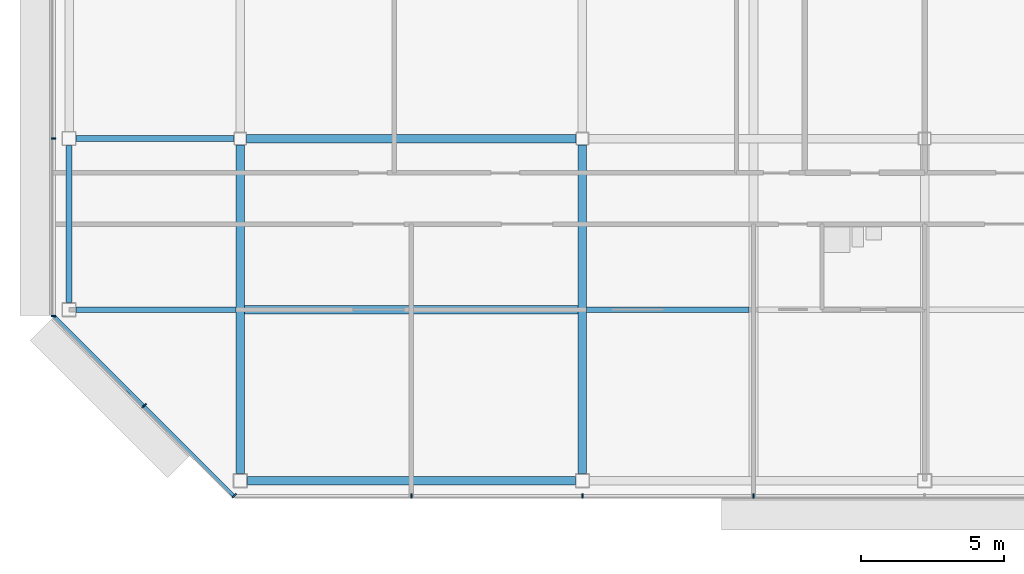
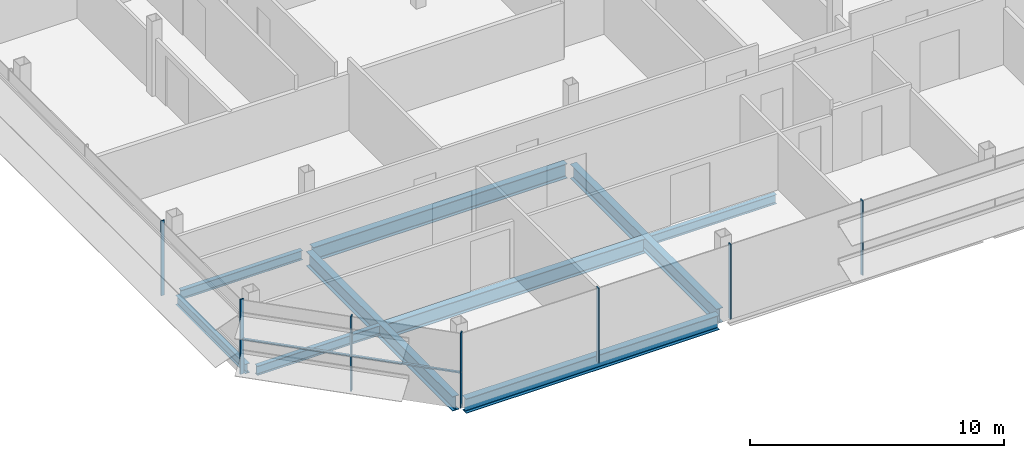
# One storey, part 4 of 27: 9 beams, 8 members, 3 elements without a shape of their own.
"""IFC4 building model written with IfcOpenShell, lengths in metres."""

import ifcopenshell
import ifcopenshell.guid

model = None  # the IFC model being written
_history = None  # IfcOwnerHistory: only IFC2X3 demands one
_inside = {}  # id of a spatial element -> (the spatial element, [elements in it])
_under = {}  # id of a project, library or spatial element -> (it, [spatial elements below it])
_declared = {}  # id of a project -> (the project, [libraries it declares])
_typed = {}  # id of a type object -> (the type object, [elements of that type])
_made_of = {}  # id of a material, layer set ... -> (it, [elements and type objects made of it])


def new_model(schema):
    """Start an empty IFC model of exactly this schema.

    Asked for "IFC4X3", IfcOpenShell would pick the latest addendum, in which some entities
    have other attributes; the version numbers below select the first issue.
    IFC2X3 requires an IfcOwnerHistory on every rooted entity: one is made here for all.
    """
    global model, _history
    if schema == "IFC4X3":
        model = ifcopenshell.file(schema_version=(4, 3, 0, 0))
    else:
        model = ifcopenshell.file(schema=schema)
    _inside.clear()
    _under.clear()
    _declared.clear()
    _typed.clear()
    _made_of.clear()
    _history = None
    if model.schema == "IFC2X3":
        org = make("IfcOrganization", Name="unknown")
        user = make(
            "IfcPersonAndOrganization",
            ThePerson=make("IfcPerson", FamilyName="unknown"),
            TheOrganization=org,
        )
        app = make(
            "IfcApplication",
            ApplicationDeveloper=org,
            Version="unknown",
            ApplicationFullName="unknown",
            ApplicationIdentifier="unknown",
        )
        _history = make(
            "IfcOwnerHistory",
            OwningUser=user,
            OwningApplication=app,
            ChangeAction="ADDED",
            CreationDate=0,
        )
    return model


def make(cls, **values):
    """One entity of the class cls with the attributes given. An attribute that is None is left unset."""
    return model.create_entity(
        cls, **{name: value for name, value in values.items() if value is not None}
    )


def rooted(cls, **values):
    """An entity with a GlobalId (a new one), such as an element, a storey or a relation."""
    return make(cls, GlobalId=ifcopenshell.guid.new(), OwnerHistory=_history, **values)


def si_unit(unit_type, name, prefix=None):
    """IfcSIUnit, for example si_unit("LENGTHUNIT", "METRE", prefix="MILLI")."""
    return make("IfcSIUnit", UnitType=unit_type, Prefix=prefix, Name=name)


def assignment(units):
    """IfcUnitAssignment: the units of a project."""
    return None if units is None else make("IfcUnitAssignment", Units=units)


def point(xyz):
    """IfcCartesianPoint."""
    return None if xyz is None else make("IfcCartesianPoint", Coordinates=xyz)


def direction(xyz):
    """IfcDirection."""
    return None if xyz is None else make("IfcDirection", DirectionRatios=xyz)


def frame(location, z_axis=None, x_axis=None):
    """IfcAxis2Placement3D, a coordinate frame: its origin and axes. An axis left out is left unset."""
    return make(
        "IfcAxis2Placement3D",
        Location=point(location),
        Axis=direction(z_axis),
        RefDirection=direction(x_axis),
    )


def frame_2d(location, x_axis=None):
    """IfcAxis2Placement2D, a coordinate frame in the plane: its origin and x axis."""
    return make(
        "IfcAxis2Placement2D", Location=point(location), RefDirection=direction(x_axis)
    )


def origin():
    """The frame at (0, 0, 0) with its axes left unset."""
    return frame((0.0, 0.0, 0.0))


def origin_2d():
    """The frame at (0, 0) in the plane with its x axis left unset."""
    return frame_2d((0.0, 0.0))


def place(relative_to, where):
    """IfcLocalPlacement: puts the frame where relative to a parent placement (None: the world)."""
    return make(
        "IfcLocalPlacement", PlacementRelTo=relative_to, RelativePlacement=where
    )


def context(
    kind, dimensions, precision=None, world=None, true_north=None, identifier=None
):
    """IfcGeometricRepresentationContext, for example the 3D "Model" context."""
    return make(
        "IfcGeometricRepresentationContext",
        ContextIdentifier=identifier,
        ContextType=kind,
        CoordinateSpaceDimension=dimensions,
        Precision=precision,
        WorldCoordinateSystem=world,
        TrueNorth=true_north,
    )


def subcontext(parent, identifier, kind, view, scale=None):
    """IfcGeometricRepresentationSubContext, for example "Body" below "Model"."""
    return make(
        "IfcGeometricRepresentationSubContext",
        ContextIdentifier=identifier,
        ContextType=kind,
        ParentContext=parent,
        TargetScale=scale,
        TargetView=view,
    )


def project(units=None, contexts=None):
    """IfcProject with its units and contexts."""
    return rooted(
        "IfcProject",
        Name="project",
        RepresentationContexts=contexts,
        UnitsInContext=assignment(units),
    )


def spatial(cls, under=None, at=None, **own):
    """A site, building, storey or space (cls), placed at a placement, below another one or the project."""
    s = rooted(cls, ObjectPlacement=at, **own)
    if under is not None:
        _under.setdefault(under.id(), (under, []))[1].append(s)
    return s


def profile(cls, at=None, kind="AREA", **sizes):
    """A parametric profile (cls). Its sizes go by their IFC names, for example OverallWidth=200.0."""
    return make(cls, ProfileType=kind, Position=at, **sizes)


def rectangle(**sizes):
    """IfcRectangleProfileDef."""
    return profile("IfcRectangleProfileDef", **sizes)


def i_section(**sizes):
    """IfcIShapeProfileDef."""
    return profile("IfcIShapeProfileDef", **sizes)


def extrude(swept, where, along, depth):
    """IfcExtrudedAreaSolid: the profile swept, set in the frame where, extruded along a direction by depth."""
    return make(
        "IfcExtrudedAreaSolid",
        SweptArea=swept,
        Position=where,
        ExtrudedDirection=direction(along),
        Depth=depth,
    )


def shape(context_of_items, identifier, shape_type, items):
    """IfcShapeRepresentation: the items that make up one representation, for example the "Body"."""
    return make(
        "IfcShapeRepresentation",
        ContextOfItems=context_of_items,
        RepresentationIdentifier=identifier,
        RepresentationType=shape_type,
        Items=items,
    )


def material(Name=None, Category=None):
    """IfcMaterial."""
    return make("IfcMaterial", Name=Name, Category=Category)


def material_profile(
    of_material, cross_section, Name=None, Category=None, Priority=None
):
    """IfcMaterialProfile: a cross section and its material."""
    return make(
        "IfcMaterialProfile",
        Name=Name,
        Material=of_material,
        Profile=cross_section,
        Priority=Priority,
        Category=Category,
    )


def profile_set(profiles, Name=None, composite=None):
    """IfcMaterialProfileSet."""
    return make(
        "IfcMaterialProfileSet",
        Name=Name,
        MaterialProfiles=profiles,
        CompositeProfile=composite,
    )


def made_of(thing, what):
    """Note that an element or type object is made of a material, layer set ...; save() writes the relation."""
    if what is not None:
        _made_of.setdefault(what.id(), (what, []))[1].append(thing)
    return thing


def type_object(cls, material=None, **own):
    """A type object (cls), such as IfcWallType, which elements share."""
    return made_of(rooted(cls, **own), material)


def element(
    cls,
    number,
    at=None,
    inside=None,
    cuts=None,
    type_object=None,
    material=None,
    context=None,
    identifier="Body",
    shape_type=None,
    held_by="IfcProductDefinitionShape",
    body=None,
    shapes=None,
    **own,
):
    """One element of the class cls, such as IfcWall. Its Tag is "e" and its number.

    at: its placement. inside: the storey or other place that contains it. cuts: it is an
    opening in that element (IfcRelVoidsElement). A single representation is given by context,
    identifier, shape_type and body (its items); several are given by shapes. held_by: the class
    of the entity that holds the representations. save() writes the other relations.
    """
    e = rooted(cls, Tag="e%d" % number, ObjectPlacement=at, **own)
    if body is not None:
        shapes = [shape(context, identifier, shape_type, body)]
    if shapes is not None:
        e.Representation = make(held_by, Representations=shapes)
    if inside is not None:
        _inside.setdefault(inside.id(), (inside, []))[1].append(e)
    if cuts is not None:
        rooted(
            "IfcRelVoidsElement", RelatingBuildingElement=cuts, RelatedOpeningElement=e
        )
    if type_object is not None:
        _typed.setdefault(type_object.id(), (type_object, []))[1].append(e)
    return made_of(e, material)


def aggregate(whole, parts):
    """IfcRelAggregates: a whole, such as a stair, and the parts it consists of."""
    return rooted("IfcRelAggregates", RelatingObject=whole, RelatedObjects=parts)


def save(model, path):
    """Write the relations noted so far, then the file.

    IfcRelAggregates (storeys below a building ...), IfcRelContainedInSpatialStructure (elements
    in a storey), IfcRelDefinesByType, IfcRelAssociatesMaterial and IfcRelDeclares: one each for
    every whole, place, type object, material and project.
    """
    for whole, parts in _under.values():
        aggregate(whole, parts)
    for where, things in _inside.values():
        rooted(
            "IfcRelContainedInSpatialStructure",
            RelatedElements=things,
            RelatingStructure=where,
        )
    for kind, things in _typed.values():
        rooted("IfcRelDefinesByType", RelatedObjects=things, RelatingType=kind)
    for what, things in _made_of.values():
        rooted("IfcRelAssociatesMaterial", RelatedObjects=things, RelatingMaterial=what)
    for by, libraries in _declared.values():
        rooted("IfcRelDeclares", RelatingContext=by, RelatedDefinitions=libraries)
    model.write(path)


model = new_model("IFC4")

# Units and contexts
model_context = context("Model", 3, precision=1e-05, world=origin(), true_north=direction((0.0, 1.0)))
body_context = subcontext(model_context, "Body", "Model", "MODEL_VIEW")
ifc_project = project(units=[si_unit("LENGTHUNIT", "METRE"), si_unit("AREAUNIT", "SQUARE_METRE"), si_unit("VOLUMEUNIT", "CUBIC_METRE"), si_unit("PLANEANGLEUNIT", "RADIAN"), si_unit("MASSUNIT", "GRAM", prefix="KILO")], contexts=[model_context])

# Site, building, storey
site_placement = place(None, origin())
site = spatial("IfcSite", under=ifc_project, at=site_placement, CompositionType="ELEMENT")
building_placement = place(site_placement, origin())
building = spatial("IfcBuilding", under=site, at=building_placement, Name="Sorahane Residences", CompositionType="ELEMENT")
storey_placement = place(building_placement, frame((0.0, 0.0, 323.199951171875)))
storey = spatial("IfcBuildingStorey", under=building, at=storey_placement, Name="L77", CompositionType="ELEMENT", Elevation=323.199951171875)

# Curtain wall, members
ifc_material_1 = material(Name="Dark low-e glass and black anodised aluminium", Category="aluminium")
curtain_wall_type_1 = type_object("IfcCurtainWallType", Name="Curtain wall CW-1 Typical unitised wall", PredefinedType="NOTDEFINED", material=ifc_material_1)
curtain_wall_1_placement = place(storey_placement, origin())
curtain_wall_1 = element("IfcCurtainWall", 1, at=curtain_wall_1_placement, inside=storey, type_object=curtain_wall_type_1, Name="CW-1 curtain wall L77 S1", PredefinedType="NOTDEFINED")
ifc_material_2 = material(Name="Black anodised aluminium", Category="aluminium")
ifc_material_profile_1 = material_profile(ifc_material_2, rectangle(XDim=0.159912109375, YDim=0.050048828125, at=origin_2d()), Name="Curtain wall mullion CW-1 black anodised aluminium 50x160")
ifc_profile_set_1 = profile_set([ifc_material_profile_1], Name="Black anodised aluminium")
member_type_1 = type_object("IfcMemberType", Name="Curtain wall mullion CW-1 black anodised aluminium 50x160", PredefinedType="MULLION", material=ifc_profile_set_1)
member_1_placement = place(storey_placement, frame((-6.0, -0.5400390625, -0.179931640625), z_axis=(0.0, 0.0, 1.0), x_axis=(0.0, -1.0, 0.0)))
member_1 = element("IfcMember", 2, at=member_1_placement, type_object=member_type_1, Name="CW-1 mullion L77 S1.2", PredefinedType="MULLION", context=body_context, shape_type="SweptSolid", body=[
    extrude(rectangle(XDim=0.159912109375, YDim=0.050048828125, at=origin_2d()), origin(), (0.0, 0.0, 1.0), 3.60009765625),
])
member_2_placement = place(storey_placement, frame((0.0, -0.5400390625, -0.179931640625), z_axis=(0.0, 0.0, 1.0), x_axis=(0.0, -1.0, 0.0)))
member_2 = element("IfcMember", 3, at=member_2_placement, type_object=member_type_1, Name="CW-1 mullion L77 S1.3", PredefinedType="MULLION", context=body_context, shape_type="SweptSolid", body=[
    extrude(rectangle(XDim=0.159912109375, YDim=0.050048828125, at=origin_2d()), origin(), (0.0, 0.0, 1.0), 3.60009765625),
])
member_3_placement = place(storey_placement, frame((6.0, -0.5400390625, -0.179931640625), z_axis=(0.0, 0.0, 1.0), x_axis=(0.0, -1.0, 0.0)))
member_3 = element("IfcMember", 4, at=member_3_placement, type_object=member_type_1, Name="CW-1 mullion L77 S1.4", PredefinedType="MULLION", context=body_context, shape_type="SweptSolid", body=[
    extrude(rectangle(XDim=0.159912109375, YDim=0.050048828125, at=origin_2d()), origin(), (0.0, 0.0, 1.0), 3.60009765625),
])
aggregate(curtain_wall_1, [member_1, member_2, member_3])

curtain_wall_2_placement = place(storey_placement, origin())
curtain_wall_2 = element("IfcCurtainWall", 5, at=curtain_wall_2_placement, inside=storey, type_object=curtain_wall_type_1, Name="CW-1 curtain wall L77 W1", PredefinedType="NOTDEFINED")
member_4_placement = place(storey_placement, frame((-18.5400390625, 12.0, -0.179931640625), z_axis=(0.0, 0.0, 1.0), x_axis=(-1.0, 0.0, 0.0)))
member_4 = element("IfcMember", 6, at=member_4_placement, type_object=member_type_1, Name="CW-1 mullion L77 W1.6", PredefinedType="MULLION", context=body_context, shape_type="SweptSolid", body=[
    extrude(rectangle(XDim=0.159912109375, YDim=0.050048828125, at=origin_2d()), origin(), (0.0, 0.0, 1.0), 3.60009765625),
])
member_5_placement = place(storey_placement, frame((-18.5400390625, 5.7763671875, -0.179931640625), z_axis=(0.0, 0.0, 1.0), x_axis=(-1.0, 0.0, 0.0)))
member_5 = element("IfcMember", 7, at=member_5_placement, type_object=member_type_1, Name="CW-1 mullion L77 W1.7", PredefinedType="MULLION", context=body_context, shape_type="SweptSolid", body=[
    extrude(rectangle(XDim=0.159912109375, YDim=0.050048828125, at=origin_2d()), origin(), (0.0, 0.0, 1.0), 3.60009765625),
])
aggregate(curtain_wall_2, [member_4, member_5])

ifc_material_3 = material(Name="Dark low-e glass and black anodised aluminium", Category="aluminium")
curtain_wall_type_2 = type_object("IfcCurtainWallType", Name="Curtain wall CW-2 Chamfer unitised wall", PredefinedType="NOTDEFINED", material=ifc_material_3)
curtain_wall_3_placement = place(storey_placement, origin())
curtain_wall_3 = element("IfcCurtainWall", 8, at=curtain_wall_3_placement, inside=storey, type_object=curtain_wall_type_2, Name="CW-2 curtain wall L77 SW1", PredefinedType="NOTDEFINED")
ifc_material_4 = material(Name="Black anodised aluminium", Category="aluminium")
ifc_material_profile_2 = material_profile(ifc_material_4, rectangle(XDim=0.199951171875, YDim=0.050048828125, at=origin_2d()), Name="Curtain wall mullion CW-2 black anodised aluminium 50x200")
ifc_profile_set_2 = profile_set([ifc_material_profile_2], Name="Black anodised aluminium")
member_type_2 = type_object("IfcMemberType", Name="Curtain wall mullion CW-2 black anodised aluminium 50x200", PredefinedType="MULLION", material=ifc_profile_set_2)
member_6_placement = place(storey_placement, frame((-15.36767578125, 2.63232421875, -0.179931640625), z_axis=(0.0, 0.0, 1.0), x_axis=(-0.707106781187, -0.707106781187, 0.0)))
member_6 = element("IfcMember", 9, at=member_6_placement, type_object=member_type_2, Name="CW-2 mullion L77 SW1.2", PredefinedType="MULLION", context=body_context, shape_type="SweptSolid", body=[
    extrude(rectangle(XDim=0.199951171875, YDim=0.050048828125, at=origin_2d()), origin(), (0.0, 0.0, 1.0), 3.60009765625),
])
member_7_placement = place(storey_placement, frame((-12.209716796875, -0.525634765625, -0.179931640625), z_axis=(0.0, 0.0, 1.0), x_axis=(-0.707106781187, -0.707106781187, 0.0)))
member_7 = element("IfcMember", 10, at=member_7_placement, type_object=member_type_2, Name="CW-2 mullion L77 SW1.3", PredefinedType="MULLION", context=body_context, shape_type="SweptSolid", body=[
    extrude(rectangle(XDim=0.199951171875, YDim=0.050048828125, at=origin_2d()), origin(), (0.0, 0.0, 1.0), 3.60009765625),
])
ifc_material_5 = material(Name="Black anodised aluminium", Category="aluminium")
ifc_material_profile_3 = material_profile(ifc_material_5, rectangle(XDim=0.10009765625, YDim=0.06005859375, at=origin_2d()), Name="Curtain wall transom CW-2 black anodised aluminium 60x100")
ifc_profile_set_3 = profile_set([ifc_material_profile_3], Name="Black anodised aluminium")
member_type_3 = type_object("IfcMemberType", Name="Curtain wall transom CW-2 black anodised aluminium 60x100", PredefinedType="USERDEFINED", material=ifc_profile_set_3)
member_8_placement = place(storey_placement, frame((-18.51513671875, 5.765625, 1.5), z_axis=(0.707106781187, -0.707106781187, 0.0), x_axis=(0.707106781187, 0.707106781187, 0.0)))
member_8 = element("IfcMember", 11, at=member_8_placement, type_object=member_type_3, Name="CW-2 transom L77 SW1", ObjectType="TRANSOM", PredefinedType="USERDEFINED", context=body_context, shape_type="SweptSolid", body=[
    extrude(rectangle(XDim=0.10009765625, YDim=0.06005859375, at=origin_2d()), origin(), (0.0, 0.0, 1.0), 8.88232421875),
])
aggregate(curtain_wall_3, [member_6, member_7, member_8])

# Beams
ifc_material_6 = material(Name="Steel Q355B", Category="steel")
ifc_material_profile_4 = material_profile(ifc_material_6, i_section(OverallWidth=0.199951171875, OverallDepth=0.449951171875, WebThickness=0.009033203125, FlangeThickness=0.013916015625, FilletRadius=0.02001953125, at=origin_2d()), Name="HN 450x200x9x14")
ifc_profile_set_4 = profile_set([ifc_material_profile_4], Name="Steel Q355B")
beam_type_1 = type_object("IfcBeamType", Name="Steel floor beam HN 450x200x9x14 Q355B", PredefinedType="BEAM", material=ifc_profile_set_4)
beam_1_placement = place(storey_placement, frame((-17.75, 12.0, -0.405029296875), z_axis=(1.0, 0.0, 0.0), x_axis=(0.0, 1.0, 0.0)))
element("IfcBeam", 12, at=beam_1_placement, inside=storey, type_object=beam_type_1, Name="Beam L77 005", PredefinedType="BEAM", context=body_context, shape_type="SweptSolid", body=[
    extrude(i_section(OverallWidth=0.199951171875, OverallDepth=0.449951171875, WebThickness=0.009033203125, FlangeThickness=0.013916015625, FilletRadius=0.02001953125, at=origin_2d()), origin(), (0.0, 0.0, 1.0), 5.52490234375),
])
beam_2_placement = place(storey_placement, frame((-18.0, 6.25, -0.405029296875), z_axis=(0.0, 1.0, 0.0), x_axis=(-1.0, 0.0, 0.0)))
element("IfcBeam", 13, at=beam_2_placement, inside=storey, type_object=beam_type_1, Name="Beam L77 020", PredefinedType="BEAM", context=body_context, shape_type="SweptSolid", body=[
    extrude(i_section(OverallWidth=0.199951171875, OverallDepth=0.449951171875, WebThickness=0.009033203125, FlangeThickness=0.013916015625, FilletRadius=0.02001953125, at=origin_2d()), origin(), (0.0, 0.0, 1.0), 5.5),
])
beam_3_placement = place(storey_placement, frame((-17.75, 6.0, -0.405029296875), z_axis=(1.0, 0.0, 0.0), x_axis=(0.0, 1.0, 0.0)))
element("IfcBeam", 14, at=beam_3_placement, inside=storey, type_object=beam_type_1, Name="Beam L77 066", PredefinedType="BEAM", context=body_context, shape_type="SweptSolid", body=[
    extrude(i_section(OverallWidth=0.199951171875, OverallDepth=0.449951171875, WebThickness=0.009033203125, FlangeThickness=0.013916015625, FilletRadius=0.02001953125, at=origin_2d()), origin(), (0.0, 0.0, 1.0), 5.60009765625),
])
beam_4_placement = place(storey_placement, frame((0.14990234375, 6.0, -0.405029296875), z_axis=(1.0, 0.0, 0.0), x_axis=(0.0, 1.0, 0.0)))
element("IfcBeam", 15, at=beam_4_placement, inside=storey, type_object=beam_type_1, Name="Beam L77 068", PredefinedType="BEAM", context=body_context, shape_type="SweptSolid", body=[
    extrude(i_section(OverallWidth=0.199951171875, OverallDepth=0.449951171875, WebThickness=0.009033203125, FlangeThickness=0.013916015625, FilletRadius=0.02001953125, at=origin_2d()), origin(), (0.0, 0.0, 1.0), 5.7001953125),
])
ifc_material_7 = material(Name="Steel Q355B", Category="steel")
ifc_material_profile_5 = material_profile(ifc_material_7, i_section(OverallWidth=0.300048828125, OverallDepth=0.699951171875, WebThickness=0.012939453125, FlangeThickness=0.02392578125, FilletRadius=0.028076171875, at=origin_2d()), Name="HN 700x300x13x24")
ifc_profile_set_5 = profile_set([ifc_material_profile_5], Name="Steel Q355B")
beam_type_2 = type_object("IfcBeamType", Name="Steel floor beam HN 700x300x13x24 Q355B", PredefinedType="BEAM", material=ifc_profile_set_5)
beam_5_placement = place(storey_placement, frame((-11.75, 0.0, -0.530029296875), z_axis=(1.0, 0.0, 0.0), x_axis=(0.0, 1.0, 0.0)))
element("IfcBeam", 16, at=beam_5_placement, inside=storey, type_object=beam_type_2, Name="Beam L77 000", PredefinedType="BEAM", context=body_context, shape_type="SweptSolid", body=[
    extrude(i_section(OverallWidth=0.300048828125, OverallDepth=0.699951171875, WebThickness=0.012939453125, FlangeThickness=0.02392578125, FilletRadius=0.028076171875, at=origin_2d()), origin(), (0.0, 0.0, 1.0), 11.5),
])
beam_6_placement = place(storey_placement, frame((-11.77490234375, 12.0, -0.530029296875), z_axis=(1.0, 0.0, 0.0), x_axis=(0.0, 1.0, 0.0)))
element("IfcBeam", 17, at=beam_6_placement, inside=storey, type_object=beam_type_2, Name="Beam L77 006", PredefinedType="BEAM", context=body_context, shape_type="SweptSolid", body=[
    extrude(i_section(OverallWidth=0.300048828125, OverallDepth=0.699951171875, WebThickness=0.012939453125, FlangeThickness=0.02392578125, FilletRadius=0.028076171875, at=origin_2d()), origin(), (0.0, 0.0, 1.0), 11.5498046875),
])
for number, where, z_axis, x_axis, name in (
    (18, (-12.0, 0.25, -0.530029296875), (0.0, 1.0, 0.0), (-1.0, 0.0, 0.0), "Beam L77 024"),
    (19, (0.0, 0.25, -0.530029296875), (0.0, 1.0, 0.0), (-1.0, 0.0, 0.0), "Beam L77 028"),
):
    element("IfcBeam", number, at=place(storey_placement, frame(where, z_axis=z_axis, x_axis=x_axis)), inside=storey, type_object=beam_type_2, Name=name, PredefinedType="BEAM", context=body_context, shape_type="SweptSolid", body=[
        extrude(i_section(OverallWidth=0.300048828125, OverallDepth=0.699951171875, WebThickness=0.012939453125, FlangeThickness=0.02392578125, FilletRadius=0.028076171875, at=origin_2d()), origin(), (0.0, 0.0, 1.0), 11.52490234375),
    ])
beam_7_placement = place(storey_placement, frame((-11.85009765625, 6.0, -0.530029296875), z_axis=(1.0, 0.0, 0.0), x_axis=(0.0, 1.0, 0.0)))
element("IfcBeam", 20, at=beam_7_placement, inside=storey, type_object=beam_type_2, Name="Beam L77 067", PredefinedType="BEAM", context=body_context, shape_type="SweptSolid", body=[
    extrude(i_section(OverallWidth=0.300048828125, OverallDepth=0.699951171875, WebThickness=0.012939453125, FlangeThickness=0.02392578125, FilletRadius=0.028076171875, at=origin_2d()), origin(), (0.0, 0.0, 1.0), 11.7001953125),
])

save(model, "model.ifc")
